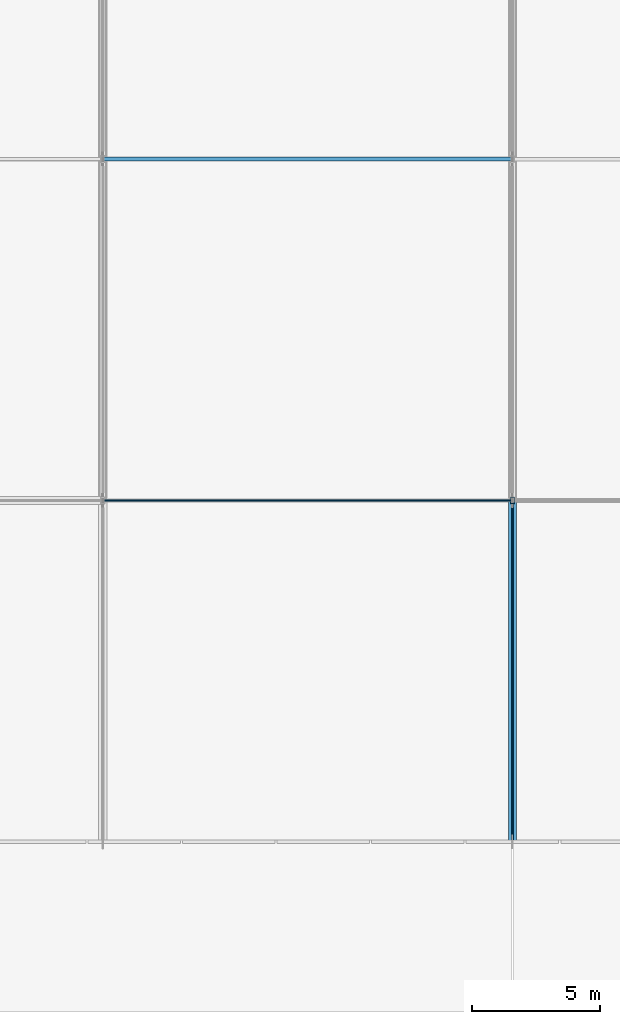
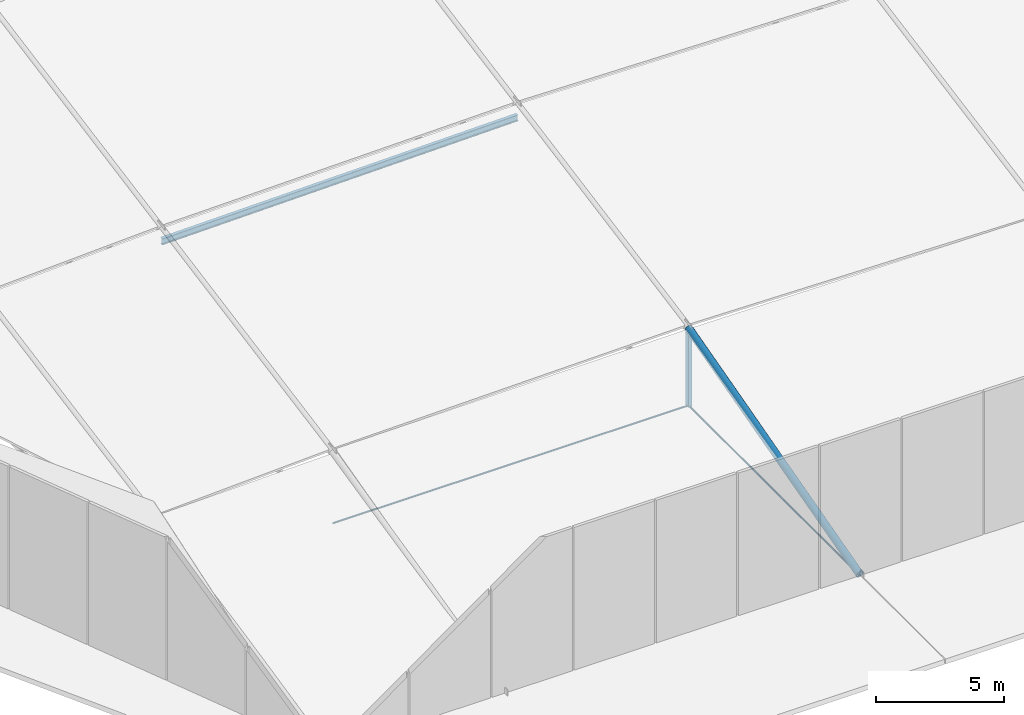
# One storey, part 3 of 30: 5 members.
"""IFC4 building model written with IfcOpenShell, lengths in metres."""

from ifc_helpers import new_model, si_unit, direction, frame, origin, origin_2d, place, context, subcontext, project, spatial, hollow_rectangle, circle, hollow_circle, i_section, extrude, material, material_profile, profile_set, type_object, element, save


model = new_model("IFC4")

# Units and contexts
model_context = context("Model", 3, precision=1e-05, world=origin(), true_north=direction((0.0, 1.0)))
body_context = subcontext(model_context, "Body", "Model", "MODEL_VIEW")
ifc_project = project(units=[si_unit("LENGTHUNIT", "METRE"), si_unit("AREAUNIT", "SQUARE_METRE"), si_unit("VOLUMEUNIT", "CUBIC_METRE"), si_unit("PLANEANGLEUNIT", "RADIAN"), si_unit("MASSUNIT", "GRAM", prefix="KILO")], contexts=[model_context])

# Site, building, storey
site_placement = place(None, origin())
site = spatial("IfcSite", under=ifc_project, at=site_placement, CompositionType="ELEMENT")
building_placement = place(site_placement, origin())
building = spatial("IfcBuilding", under=site, at=building_placement, Name="Tazarka Park Arena", CompositionType="ELEMENT")
storey_placement = place(building_placement, frame((0.0, 0.0, 29.39990234375)))
storey = spatial("IfcBuildingStorey", under=building, at=storey_placement, Name="Roof", CompositionType="ELEMENT", Elevation=29.39990234375)

# Members
ifc_material_1 = material(Name="Locked-coil steel cable S1570", Category="steel")
ifc_material_profile_1 = material_profile(ifc_material_1, circle(Radius=0.0400390625, at=origin_2d()), Name="Locked-coil steel cable S1570")
ifc_profile_set_1 = profile_set([ifc_material_profile_1], Name="Locked-coil steel cable S1570")
member_type_1 = type_object("IfcMemberType", Name="MEM-CBL-01", PredefinedType="USERDEFINED", material=ifc_profile_set_1)
member_1_placement = place(storey_placement, frame((88.0, 24.0, -0.0498046875), z_axis=(0.0, 1.0, 0.0), x_axis=(-1.0, 0.0, 0.0)))
element("IfcMember", 1, at=member_1_placement, inside=storey, type_object=member_type_1, Name="CABLE CBL-01-5-1", ObjectType="CABLE", PredefinedType="USERDEFINED", context=body_context, shape_type="SweptSolid", body=[
    extrude(circle(Radius=0.0400390625, at=origin_2d()), origin(), (0.0, 0.0, 1.0), 13.333251953125),
])
member_2_placement = place(storey_placement, frame((72.0, 37.333251953125, -0.0498046875), z_axis=(1.0, 0.0, 0.0), x_axis=(0.0, 1.0, 0.0)))
element("IfcMember", 2, at=member_2_placement, inside=storey, type_object=member_type_1, Name="CABLE TRANSVERSE 4-1", ObjectType="CABLE", PredefinedType="USERDEFINED", context=body_context, shape_type="SweptSolid", body=[
    extrude(circle(Radius=0.0400390625, at=origin_2d()), origin(), (0.0, 0.0, 1.0), 16.0),
])
ifc_material_2 = material(Name="Steel S460", Category="steel")
ifc_material_profile_2 = material_profile(ifc_material_2, hollow_circle(Radius=0.161865234375, WallThickness=0.01611328125, at=origin_2d()), Name="Steel S460")
ifc_profile_set_2 = profile_set([ifc_material_profile_2], Name="Steel S460")
member_type_2 = type_object("IfcMemberType", Name="MEM-CH-03", PredefinedType="CHORD", material=ifc_profile_set_2)
member_3_placement = place(storey_placement, frame((88.0, 24.0, 0.0), z_axis=(0.0, 0.965034481804, 0.262122965284), x_axis=(-1.0, 0.0, 0.0)))
element("IfcMember", 3, at=member_3_placement, inside=storey, type_object=member_type_2, Name="CABLE ARCH CHORD 5-1", PredefinedType="CHORD", context=body_context, shape_type="SweptSolid", body=[
    extrude(hollow_circle(Radius=0.161865234375, WallThickness=0.01611328125, at=origin_2d()), origin(), (0.0, 0.0, 1.0), 13.81640625),
])
ifc_material_3 = material(Name="Steel S355", Category="steel")
ifc_material_profile_3 = material_profile(ifc_material_3, i_section(OverallWidth=0.14990234375, OverallDepth=0.300048828125, WebThickness=0.007080078125, FlangeThickness=0.0107421875, FilletRadius=0.014892578125, at=origin_2d()), Name="Steel S355")
ifc_profile_set_3 = profile_set([ifc_material_profile_3], Name="Steel S355")
member_type_3 = type_object("IfcMemberType", Name="MEM-PR-02", PredefinedType="PURLIN", material=ifc_profile_set_3)
member_4_placement = place(storey_placement, frame((72.0, 50.666748046875, 5.277587890625), z_axis=(0.999826488435, 0.0, 0.018627748755), x_axis=(0.0, 1.0, 0.0)))
element("IfcMember", 4, at=member_4_placement, inside=storey, type_object=member_type_3, Name="RPM-03-02", PredefinedType="PURLIN", context=body_context, shape_type="SweptSolid", body=[
    extrude(i_section(OverallWidth=0.14990234375, OverallDepth=0.300048828125, WebThickness=0.007080078125, FlangeThickness=0.0107421875, FilletRadius=0.014892578125, at=origin_2d()), origin(), (0.0, 0.0, 1.0), 16.002685546875),
])
ifc_material_4 = material(Name="Steel S355", Category="steel")
ifc_material_profile_4 = material_profile(ifc_material_4, hollow_rectangle(XDim=0.14990234375, YDim=0.25, WallThickness=0.010009765625, at=origin_2d()), Name="Steel S355")
ifc_profile_set_4 = profile_set([ifc_material_profile_4], Name="Steel S355")
member_type_4 = type_object("IfcMemberType", Name="MEM-PT-02", PredefinedType="POST", material=ifc_profile_set_4)
member_5_placement = place(storey_placement, frame((88.0, 37.333251953125, -0.0498046875), z_axis=(0.0, 0.0, 1.0), x_axis=(1.0, 0.0, 0.0)))
element("IfcMember", 5, at=member_5_placement, inside=storey, type_object=member_type_4, Name="CBH-04-1", PredefinedType="POST", context=body_context, shape_type="SweptSolid", body=[
    extrude(hollow_rectangle(XDim=0.14990234375, YDim=0.25, WallThickness=0.010009765625, at=origin_2d()), origin(), (0.0, 0.0, 1.0), 3.67138671875),
])

save(model, "model.ifc")
